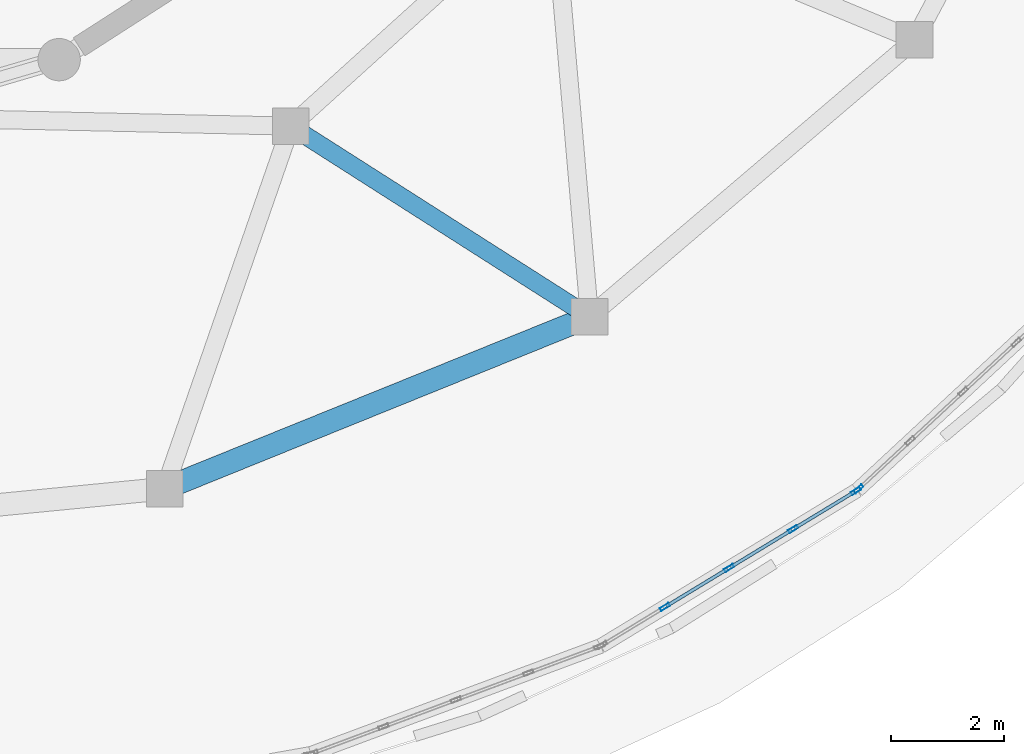
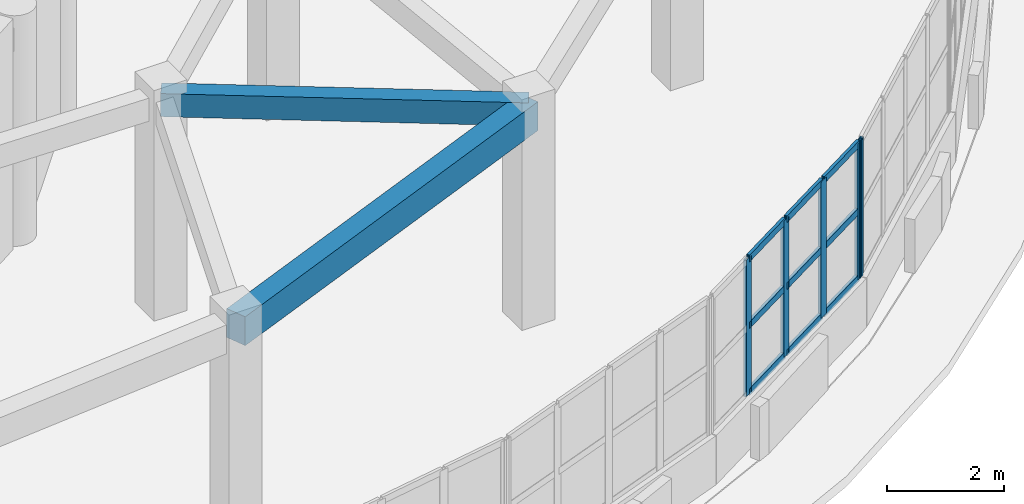
# One storey, part 51 of 105: 14 members, 2 beams, 2 elements without a shape of their own.
"""IFC4 building model written with IfcOpenShell, lengths in metres."""

from ifc_helpers import new_model, si_unit, direction, frame, origin, origin_2d, place, context, subcontext, project, spatial, rectangle, hollow_rectangle, extrude, material, layer, layer_set, material_profile, profile_set, type_object, element, aggregate, save


model = new_model("IFC4")

# Units and contexts
model_context = context("Model", 3, precision=1e-05, world=origin(), true_north=direction((0.0, 1.0)))
body_context = subcontext(model_context, "Body", "Model", "MODEL_VIEW")
ifc_project = project(units=[si_unit("LENGTHUNIT", "METRE"), si_unit("AREAUNIT", "SQUARE_METRE"), si_unit("VOLUMEUNIT", "CUBIC_METRE"), si_unit("PLANEANGLEUNIT", "RADIAN"), si_unit("MASSUNIT", "GRAM", prefix="KILO")], contexts=[model_context])

# Site, building, storey
site_placement = place(None, origin())
site = spatial("IfcSite", under=ifc_project, at=site_placement, CompositionType="ELEMENT")
building_placement = place(site_placement, origin())
building = spatial("IfcBuilding", under=site, at=building_placement, Name="Pelvatis Terrace Science Centre", CompositionType="ELEMENT")
storey_placement = place(building_placement, frame((0.0, 0.0, 10.199951171875)))
storey = spatial("IfcBuildingStorey", under=building, at=storey_placement, Name="L02", CompositionType="ELEMENT", Elevation=10.199951171875)

# Beams
ifc_material_1 = material(Name="Concrete C35/45", Category="concrete")
ifc_material_profile_1 = material_profile(ifc_material_1, rectangle(XDim=0.320068359375, YDim=0.47998046875, at=origin_2d()), Name="RC-BM 320x480")
ifc_profile_set_1 = profile_set([ifc_material_profile_1], Name="Concrete C35/45")
beam_type_1 = type_object("IfcBeamType", Name="BM-RC-320x480", PredefinedType="BEAM", material=ifc_profile_set_1)
beam_1_placement = place(storey_placement, frame((123.82421875, 69.786376953125, 4.300048828125), z_axis=(-0.843044192258, 0.537844298937, 0.0), x_axis=(-0.537844298937, -0.843044192258, 0.0)))
element("IfcBeam", 1, at=beam_1_placement, inside=storey, type_object=beam_type_1, Name="Beam BM-L02-2919", PredefinedType="BEAM", context=body_context, shape_type="SweptSolid", body=[
    extrude(rectangle(XDim=0.320068359375, YDim=0.47998046875, at=origin_2d()), origin(), (0.0, 0.0, 1.0), 6.275390625),
])
ifc_material_2 = material(Name="Concrete C35/45", Category="concrete")
ifc_material_profile_2 = material_profile(ifc_material_2, rectangle(XDim=0.39990234375, YDim=0.60009765625, at=origin_2d()), Name="RC-BM 400x600")
ifc_profile_set_2 = profile_set([ifc_material_profile_2], Name="Concrete C35/45")
beam_type_2 = type_object("IfcBeamType", Name="BM-RC-400x600", PredefinedType="BEAM", material=ifc_profile_set_2)
beam_2_placement = place(storey_placement, frame((116.3046875, 66.743408203125, 4.239990234375), z_axis=(0.926974722929, 0.375123796967, 0.0), x_axis=(-0.375123796967, 0.926974722929, 0.0)))
element("IfcBeam", 2, at=beam_2_placement, inside=storey, type_object=beam_type_2, Name="Beam BM-L02-2916", PredefinedType="BEAM", context=body_context, shape_type="SweptSolid", body=[
    extrude(rectangle(XDim=0.39990234375, YDim=0.60009765625, at=origin_2d()), origin(), (0.0, 0.0, 1.0), 8.11181640625),
])

# Curtain wall, members
ifc_material_3 = material(Name="Bronze-anodised aluminium and laminated glass", Category="aluminium")
ifc_layer = layer(ifc_material_3, 0.179931640625)
ifc_layer_set = layer_set([ifc_layer], Name="Bronze-anodised aluminium and laminated glass")
curtain_wall_type = type_object("IfcCurtainWallType", Name="CW-RIBBON-A", PredefinedType="NOTDEFINED", material=ifc_layer_set)
curtain_wall_1_placement = place(storey_placement, origin())
curtain_wall_1 = element("IfcCurtainWall", 3, at=curtain_wall_1_placement, inside=storey, type_object=curtain_wall_type, Name="Ribbon curtain wall CW-178 (L02)", PredefinedType="NOTDEFINED")
ifc_material_4 = material(Name="Bronze-anodised aluminium 6063-T6", Category="aluminium")
ifc_material_profile_3 = material_profile(ifc_material_4, hollow_rectangle(XDim=0.06005859375, YDim=0.179931640625, WallThickness=0.00390625, at=origin_2d()), Name="ALU-MUL 60x180")
ifc_profile_set_3 = profile_set([ifc_material_profile_3], Name="Bronze-anodised aluminium 6063-T6")
member_type_1 = type_object("IfcMemberType", Name="CWM-60x180", PredefinedType="MULLION", material=ifc_profile_set_3)
member_1_placement = place(storey_placement, frame((125.160400390625, 64.6474609375, 1.02001953125), z_axis=(0.0, 0.0, 1.0), x_axis=(-0.519190278561, 0.854658677279, 0.0)))
member_1 = element("IfcMember", 4, at=member_1_placement, type_object=member_type_1, Name="CW-178 mullion 2", PredefinedType="MULLION", context=body_context, shape_type="SweptSolid", body=[
    extrude(hollow_rectangle(XDim=0.06005859375, YDim=0.179931640625, WallThickness=0.00390625, at=origin_2d()), origin(), (0.0, 0.0, 1.0), 2.840087890625),
])
member_2_placement = place(storey_placement, frame((126.295654296875, 65.337158203125, 1.02001953125), z_axis=(0.0, 0.0, 1.0), x_axis=(-0.519190278561, 0.854658677279, 0.0)))
member_2 = element("IfcMember", 5, at=member_2_placement, type_object=member_type_1, Name="CW-178 mullion 3", PredefinedType="MULLION", context=body_context, shape_type="SweptSolid", body=[
    extrude(hollow_rectangle(XDim=0.06005859375, YDim=0.179931640625, WallThickness=0.00390625, at=origin_2d()), origin(), (0.0, 0.0, 1.0), 2.840087890625),
])
member_3_placement = place(storey_placement, frame((127.430908203125, 66.026611328125, 1.02001953125), z_axis=(0.0, 0.0, 1.0), x_axis=(-0.519190278561, 0.854658677279, 0.0)))
member_3 = element("IfcMember", 6, at=member_3_placement, type_object=member_type_1, Name="CW-178 mullion 4", PredefinedType="MULLION", context=body_context, shape_type="SweptSolid", body=[
    extrude(hollow_rectangle(XDim=0.06005859375, YDim=0.179931640625, WallThickness=0.00390625, at=origin_2d()), origin(), (0.0, 0.0, 1.0), 2.840087890625),
])
member_4_placement = place(storey_placement, frame((128.54052734375, 66.700927734375, 1.02001953125), z_axis=(0.0, 0.0, 1.0), x_axis=(-0.519190278561, 0.854658677279, 0.0)))
member_4 = element("IfcMember", 7, at=member_4_placement, type_object=member_type_1, Name="CW-178 mullion 5", PredefinedType="MULLION", context=body_context, shape_type="SweptSolid", body=[
    extrude(hollow_rectangle(XDim=0.06005859375, YDim=0.179931640625, WallThickness=0.00390625, at=origin_2d()), origin(), (0.0, 0.0, 1.0), 2.840087890625),
])

# Curtain wall, member
curtain_wall_2_placement = place(storey_placement, origin())
curtain_wall_2 = element("IfcCurtainWall", 8, at=curtain_wall_2_placement, inside=storey, type_object=curtain_wall_type, Name="Ribbon curtain wall CW-179 (L02)", PredefinedType="NOTDEFINED")
member_5_placement = place(storey_placement, frame((128.588134765625, 66.73681640625, 1.02001953125), z_axis=(0.0, 0.0, 1.0), x_axis=(-0.680469807369, 0.732776119466, 0.0)))
member_5 = element("IfcMember", 9, at=member_5_placement, type_object=member_type_1, Name="CW-179 mullion 1", PredefinedType="MULLION", context=body_context, shape_type="SweptSolid", body=[
    extrude(hollow_rectangle(XDim=0.06005859375, YDim=0.179931640625, WallThickness=0.00390625, at=origin_2d()), origin(), (0.0, 0.0, 1.0), 2.840087890625),
])
aggregate(curtain_wall_2, [member_5])

# Member
ifc_material_5 = material(Name="Bronze-anodised aluminium 6063-T6", Category="aluminium")
ifc_material_profile_4 = material_profile(ifc_material_5, hollow_rectangle(XDim=0.06005859375, YDim=0.139892578125, WallThickness=0.00390625, at=origin_2d()), Name="ALU-TRN 60x140")
ifc_profile_set_4 = profile_set([ifc_material_profile_4], Name="Bronze-anodised aluminium 6063-T6")
member_type_2 = type_object("IfcMemberType", Name="CWT-60x140", PredefinedType="USERDEFINED", material=ifc_profile_set_4)
member_6_placement = place(storey_placement, frame((125.18603515625, 64.662841796875, 1.050048828125), z_axis=(0.854592288325, 0.519299548176, 0.0), x_axis=(-0.519299548176, 0.854592288325, 0.0)))
member_6 = element("IfcMember", 10, at=member_6_placement, type_object=member_type_2, Name="CW-178 transom 2.1", ObjectType="TRANSOM", PredefinedType="USERDEFINED", context=body_context, shape_type="SweptSolid", body=[
    extrude(hollow_rectangle(XDim=0.06005859375, YDim=0.139892578125, WallThickness=0.00390625, at=origin_2d()), origin(), (0.0, 0.0, 1.0), 1.268310546875),
])

member_7_placement = place(storey_placement, frame((125.18603515625, 64.662841796875, 2.43994140625), z_axis=(0.854592288325, 0.519299548176, 0.0), x_axis=(-0.519299548176, 0.854592288325, 0.0)))
member_7 = element("IfcMember", 11, at=member_7_placement, type_object=member_type_2, Name="CW-178 transom 2.2", ObjectType="TRANSOM", PredefinedType="USERDEFINED", context=body_context, shape_type="SweptSolid", body=[
    extrude(hollow_rectangle(XDim=0.06005859375, YDim=0.139892578125, WallThickness=0.00390625, at=origin_2d()), origin(), (0.0, 0.0, 1.0), 1.268310546875),
])

member_8_placement = place(storey_placement, frame((125.18603515625, 64.662841796875, 3.830078125), z_axis=(0.854592288325, 0.519299548176, 0.0), x_axis=(-0.519299548176, 0.854592288325, 0.0)))
member_8 = element("IfcMember", 12, at=member_8_placement, type_object=member_type_2, Name="CW-178 transom 2.3", ObjectType="TRANSOM", PredefinedType="USERDEFINED", context=body_context, shape_type="SweptSolid", body=[
    extrude(hollow_rectangle(XDim=0.06005859375, YDim=0.139892578125, WallThickness=0.00390625, at=origin_2d()), origin(), (0.0, 0.0, 1.0), 1.268310546875),
])

member_9_placement = place(storey_placement, frame((126.3212890625, 65.3525390625, 1.050048828125), z_axis=(0.854592288325, 0.519299548176, 0.0), x_axis=(-0.519299548176, 0.854592288325, 0.0)))
member_9 = element("IfcMember", 13, at=member_9_placement, type_object=member_type_2, Name="CW-178 transom 3.1", ObjectType="TRANSOM", PredefinedType="USERDEFINED", context=body_context, shape_type="SweptSolid", body=[
    extrude(hollow_rectangle(XDim=0.06005859375, YDim=0.139892578125, WallThickness=0.00390625, at=origin_2d()), origin(), (0.0, 0.0, 1.0), 1.268310546875),
])

member_10_placement = place(storey_placement, frame((126.3212890625, 65.3525390625, 2.43994140625), z_axis=(0.854592288325, 0.519299548176, 0.0), x_axis=(-0.519299548176, 0.854592288325, 0.0)))
member_10 = element("IfcMember", 14, at=member_10_placement, type_object=member_type_2, Name="CW-178 transom 3.2", ObjectType="TRANSOM", PredefinedType="USERDEFINED", context=body_context, shape_type="SweptSolid", body=[
    extrude(hollow_rectangle(XDim=0.06005859375, YDim=0.139892578125, WallThickness=0.00390625, at=origin_2d()), origin(), (0.0, 0.0, 1.0), 1.268310546875),
])

member_11_placement = place(storey_placement, frame((126.3212890625, 65.3525390625, 3.830078125), z_axis=(0.854592288325, 0.519299548176, 0.0), x_axis=(-0.519299548176, 0.854592288325, 0.0)))
member_11 = element("IfcMember", 15, at=member_11_placement, type_object=member_type_2, Name="CW-178 transom 3.3", ObjectType="TRANSOM", PredefinedType="USERDEFINED", context=body_context, shape_type="SweptSolid", body=[
    extrude(hollow_rectangle(XDim=0.06005859375, YDim=0.139892578125, WallThickness=0.00390625, at=origin_2d()), origin(), (0.0, 0.0, 1.0), 1.268310546875),
])

member_12_placement = place(storey_placement, frame((127.45654296875, 66.042236328125, 1.050048828125), z_axis=(0.854609431055, 0.519271335963, 0.0), x_axis=(-0.519271335963, 0.854609431055, 0.0)))
member_12 = element("IfcMember", 16, at=member_12_placement, type_object=member_type_2, Name="CW-178 transom 4.1", ObjectType="TRANSOM", PredefinedType="USERDEFINED", context=body_context, shape_type="SweptSolid", body=[
    extrude(hollow_rectangle(XDim=0.06005859375, YDim=0.139892578125, WallThickness=0.00390625, at=origin_2d()), origin(), (0.0, 0.0, 1.0), 1.23828125),
])

member_13_placement = place(storey_placement, frame((127.45654296875, 66.042236328125, 2.43994140625), z_axis=(0.854609431055, 0.519271335963, 0.0), x_axis=(-0.519271335963, 0.854609431055, 0.0)))
member_13 = element("IfcMember", 17, at=member_13_placement, type_object=member_type_2, Name="CW-178 transom 4.2", ObjectType="TRANSOM", PredefinedType="USERDEFINED", context=body_context, shape_type="SweptSolid", body=[
    extrude(hollow_rectangle(XDim=0.06005859375, YDim=0.139892578125, WallThickness=0.00390625, at=origin_2d()), origin(), (0.0, 0.0, 1.0), 1.23828125),
])

member_14_placement = place(storey_placement, frame((127.45654296875, 66.042236328125, 3.830078125), z_axis=(0.854609431055, 0.519271335963, 0.0), x_axis=(-0.519271335963, 0.854609431055, 0.0)))
member_14 = element("IfcMember", 18, at=member_14_placement, type_object=member_type_2, Name="CW-178 transom 4.3", ObjectType="TRANSOM", PredefinedType="USERDEFINED", context=body_context, shape_type="SweptSolid", body=[
    extrude(hollow_rectangle(XDim=0.06005859375, YDim=0.139892578125, WallThickness=0.00390625, at=origin_2d()), origin(), (0.0, 0.0, 1.0), 1.23828125),
])

aggregate(curtain_wall_1, [member_1, member_2, member_3, member_4, member_6, member_7, member_8, member_9, member_10, member_11, member_12, member_13, member_14])

save(model, "model.ifc")
